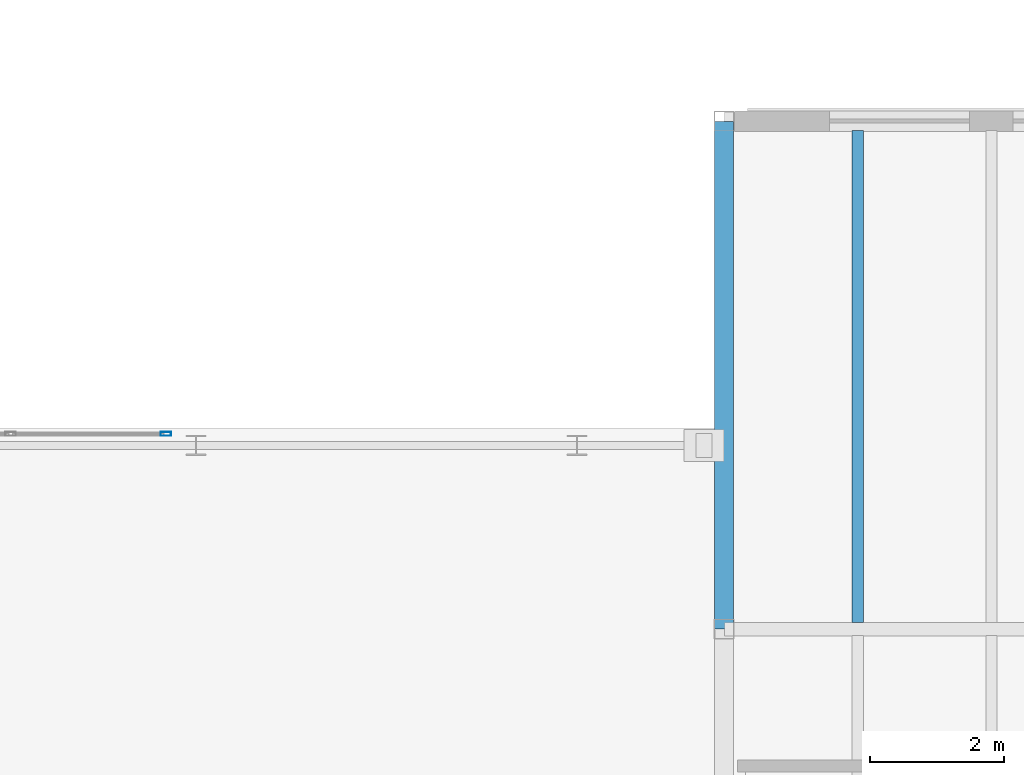
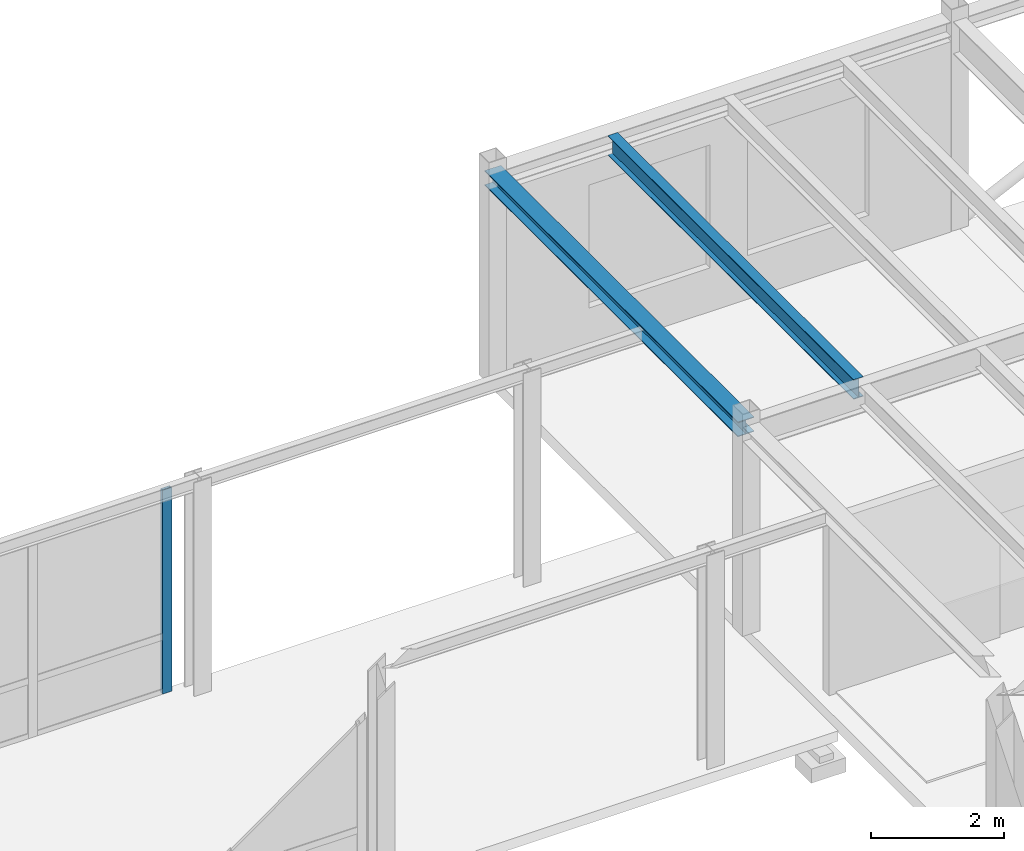
# One storey, part 104 of 165: 2 beams, 1 member, 1 element without a shape of its own.
"""IFC4 building model written with IfcOpenShell, lengths in metres."""

from ifc_helpers import new_model, si_unit, direction, frame, origin, origin_2d, place, context, subcontext, project, spatial, hollow_rectangle, i_section, extrude, material, layer, layer_set, material_profile, profile_set, type_object, element, aggregate, save


model = new_model("IFC4")

# Units and contexts
model_context = context("Model", 3, precision=1e-05, world=origin(), true_north=direction((0.0, 1.0)))
body_context = subcontext(model_context, "Body", "Model", "MODEL_VIEW")
ifc_project = project(units=[si_unit("LENGTHUNIT", "METRE"), si_unit("AREAUNIT", "SQUARE_METRE"), si_unit("VOLUMEUNIT", "CUBIC_METRE"), si_unit("PLANEANGLEUNIT", "RADIAN"), si_unit("MASSUNIT", "GRAM", prefix="KILO")], contexts=[model_context])

# Site, building, storey
site_placement = place(None, origin())
site = spatial("IfcSite", under=ifc_project, at=site_placement, CompositionType="ELEMENT")
building_placement = place(site_placement, origin())
building = spatial("IfcBuilding", under=site, at=building_placement, Name="Montecoro Central Library", CompositionType="ELEMENT")
storey_placement = place(building_placement, frame((0.0, 0.0, 5.10009765625)))
storey = spatial("IfcBuildingStorey", under=building, at=storey_placement, Name="L01", CompositionType="ELEMENT", Elevation=5.10009765625)

# Beams
ifc_material_1 = material(Name="Steel S355", Category="steel")
ifc_material_profile_1 = material_profile(ifc_material_1, i_section(OverallWidth=0.169921875, OverallDepth=0.360107421875, WebThickness=0.008056640625, FlangeThickness=0.0126953125, at=origin_2d()), Name="IPE 360")
ifc_profile_set_1 = profile_set([ifc_material_profile_1], Name="Steel S355")
beam_type_1 = type_object("IfcBeamType", Name="BM-J-IPE360", PredefinedType="JOIST", material=ifc_profile_set_1)
beam_1_placement = place(storey_placement, frame((143.0, 35.4970703125, 3.64501953125), z_axis=(0.0, 1.0, 0.0), x_axis=(-1.0, 0.0, 0.0)))
element("IfcBeam", 1, at=beam_1_placement, inside=storey, type_object=beam_type_1, Name="V6-L01-JS-1819-EF-1", PredefinedType="JOIST", context=body_context, shape_type="SweptSolid", body=[
    extrude(i_section(OverallWidth=0.169921875, OverallDepth=0.360107421875, WebThickness=0.008056640625, FlangeThickness=0.0126953125, at=origin_2d()), origin(), (0.0, 0.0, 1.0), 7.365966796875),
])
ifc_material_profile_2 = material_profile(ifc_material_1, i_section(OverallWidth=0.280029296875, OverallDepth=0.27001953125, WebThickness=0.008056640625, FlangeThickness=0.012939453125, at=origin_2d()), Name="HEA 280")
ifc_profile_set_2 = profile_set([ifc_material_profile_2], Name="Steel S355")
beam_type_2 = type_object("IfcBeamType", Name="BM-SP-HEA280", PredefinedType="SPANDREL", material=ifc_profile_set_2)
beam_2_placement = place(storey_placement, frame((141.0, 35.405029296875, 3.68994140625), z_axis=(0.0, 1.0, 0.0), x_axis=(-1.0, 0.0, 0.0)))
element("IfcBeam", 2, at=beam_2_placement, inside=storey, type_object=beam_type_2, Name="V6-L01-BY-18-EF", PredefinedType="SPANDREL", context=body_context, shape_type="SweptSolid", body=[
    extrude(i_section(OverallWidth=0.280029296875, OverallDepth=0.27001953125, WebThickness=0.008056640625, FlangeThickness=0.012939453125, at=origin_2d()), origin(), (0.0, 0.0, 1.0), 7.590087890625),
])

# Curtain wall, member
ifc_material_2 = material(Name="Bronze-anodised aluminium and low-E glazing", Category="aluminium")
ifc_layer = layer(ifc_material_2, 0.159912109375)
ifc_layer_set = layer_set([ifc_layer], Name="Bronze-anodised aluminium and low-E glazing")
curtain_wall_type = type_object("IfcCurtainWallType", Name="CWT-088", PredefinedType="NOTDEFINED", material=ifc_layer_set)
curtain_wall_placement = place(storey_placement, origin())
curtain_wall = element("IfcCurtainWall", 3, at=curtain_wall_placement, inside=storey, type_object=curtain_wall_type, Name="BR-SE-L01-CW-N2", PredefinedType="NOTDEFINED")
ifc_material_3 = material(Name="Bronze-anodised aluminium", Category="aluminium")
ifc_material_profile_3 = material_profile(ifc_material_3, hollow_rectangle(XDim=0.06005859375, YDim=0.159912109375, WallThickness=0.00390625, at=origin_2d()), Name="CWM 160x60x4.0")
ifc_profile_set_3 = profile_set([ifc_material_profile_3], Name="Bronze-anodised aluminium")
member_type = type_object("IfcMemberType", Name="CWM-BRZ-60", PredefinedType="MULLION", material=ifc_profile_set_3)
member_placement = place(storey_placement, frame((132.64990234375, 38.320068359375, 0.0), z_axis=(0.0, 0.0, 1.0), x_axis=(0.0, 1.0, 0.0)))
member = element("IfcMember", 4, at=member_placement, type_object=member_type, Name="CW-088 mullion 4", PredefinedType="MULLION", context=body_context, shape_type="SweptSolid", body=[
    extrude(hollow_rectangle(XDim=0.06005859375, YDim=0.159912109375, WallThickness=0.00390625, at=origin_2d()), origin(), (0.0, 0.0, 1.0), 3.72998046875),
])
aggregate(curtain_wall, [member])

save(model, "model.ifc")
